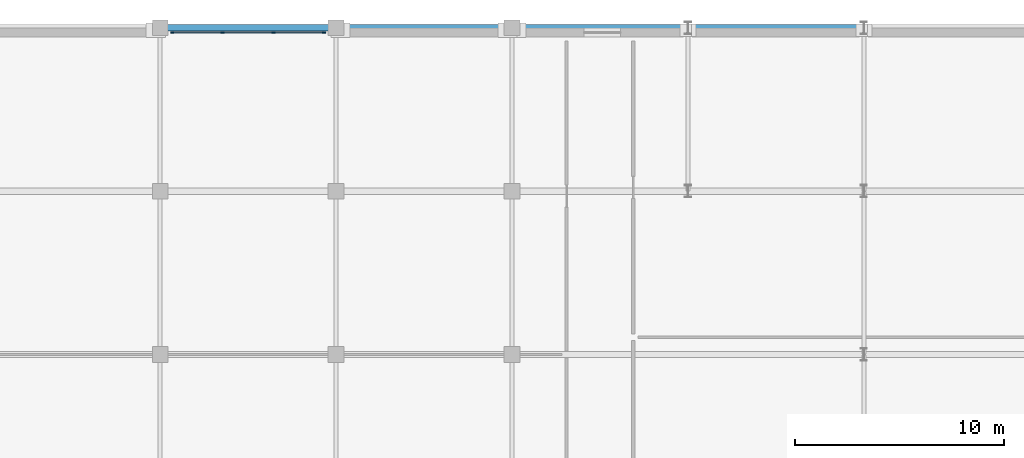
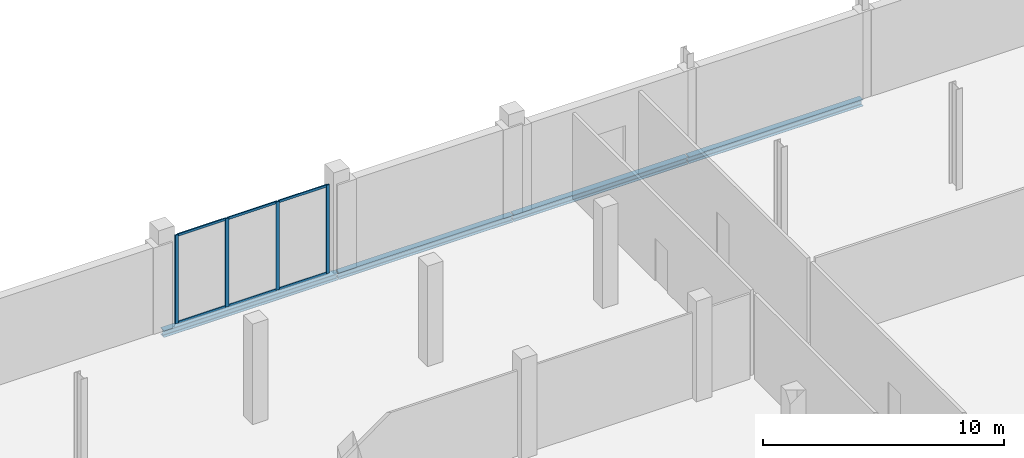
# One storey, part 66 of 105: 10 members, 4 beams, 1 element without a shape of its own.
"""IFC4 building model written with IfcOpenShell, lengths in metres."""

from ifc_helpers import new_model, si_unit, direction, frame, origin, origin_2d, place, context, subcontext, project, spatial, rectangle, i_section, extrude, material, material_profile, profile_set, type_object, element, aggregate, save


model = new_model("IFC4")

# Units and contexts
model_context = context("Model", 3, precision=1e-05, world=origin(), true_north=direction((0.0, 1.0)))
body_context = subcontext(model_context, "Body", "Model", "MODEL_VIEW")
ifc_project = project(units=[si_unit("LENGTHUNIT", "METRE"), si_unit("AREAUNIT", "SQUARE_METRE"), si_unit("VOLUMEUNIT", "CUBIC_METRE"), si_unit("PLANEANGLEUNIT", "RADIAN"), si_unit("MASSUNIT", "GRAM", prefix="KILO")], contexts=[model_context])

# Site, building, storey
site_placement = place(None, origin())
site = spatial("IfcSite", under=ifc_project, at=site_placement, CompositionType="ELEMENT")
building_placement = place(site_placement, origin())
building = spatial("IfcBuilding", under=site, at=building_placement, Name="Nabrawat Pavilion Hospital", CompositionType="ELEMENT")
storey_placement = place(building_placement, frame((0.0, 0.0, 5.10009765625)))
storey = spatial("IfcBuildingStorey", under=building, at=storey_placement, Name="L01", CompositionType="ELEMENT", Elevation=5.10009765625)

# Curtain wall, members
ifc_material_1 = material(Name="Anodised Aluminium", Category="aluminium")
curtain_wall_type = type_object("IfcCurtainWallType", Name="Inpatient Dayroom Bay Curtain Wall", PredefinedType="USERDEFINED", material=ifc_material_1)
curtain_wall_placement = place(storey_placement, origin())
curtain_wall = element("IfcCurtainWall", 1, at=curtain_wall_placement, inside=storey, type_object=curtain_wall_type, Name="L01 Inpatient Dayroom Bay Curtain Wall 092", ObjectType="CURTAIN WALL", PredefinedType="USERDEFINED")
ifc_material_profile_1 = material_profile(ifc_material_1, rectangle(XDim=0.06005859375, YDim=0.159912109375, at=origin_2d()), Name="CWM 60x160")
ifc_profile_set_1 = profile_set([ifc_material_profile_1], Name="Anodised Aluminium")
member_type_1 = type_object("IfcMemberType", Name="Inpatient Dayroom Bay Curtain Wall Mullion CWM 60x160", PredefinedType="MULLION", material=ifc_profile_set_1)
member_1_placement = place(storey_placement, frame((143.375, 124.580078125, 0.0), z_axis=(0.0, 0.0, 1.0), x_axis=(0.0, 1.0, 0.0)))
member_1 = element("IfcMember", 2, at=member_1_placement, type_object=member_type_1, Name="CW-WRD-01 mullion 1", PredefinedType="MULLION", context=body_context, shape_type="SweptSolid", body=[
    extrude(rectangle(XDim=0.06005859375, YDim=0.159912109375, at=origin_2d()), origin(), (0.0, 0.0, 1.0), 4.489990234375),
])
member_2_placement = place(storey_placement, frame((145.78173828125, 124.580078125, 0.0), z_axis=(0.0, 0.0, 1.0), x_axis=(0.0, 1.0, 0.0)))
member_2 = element("IfcMember", 3, at=member_2_placement, type_object=member_type_1, Name="CW-WRD-01 mullion 2", PredefinedType="MULLION", context=body_context, shape_type="SweptSolid", body=[
    extrude(rectangle(XDim=0.06005859375, YDim=0.159912109375, at=origin_2d()), origin(), (0.0, 0.0, 1.0), 4.489990234375),
])
member_3_placement = place(storey_placement, frame((148.21826171875, 124.580078125, 0.0), z_axis=(0.0, 0.0, 1.0), x_axis=(0.0, 1.0, 0.0)))
member_3 = element("IfcMember", 4, at=member_3_placement, type_object=member_type_1, Name="CW-WRD-01 mullion 3", PredefinedType="MULLION", context=body_context, shape_type="SweptSolid", body=[
    extrude(rectangle(XDim=0.06005859375, YDim=0.159912109375, at=origin_2d()), origin(), (0.0, 0.0, 1.0), 4.489990234375),
])
member_4_placement = place(storey_placement, frame((150.625, 124.580078125, 0.0), z_axis=(0.0, 0.0, 1.0), x_axis=(0.0, 1.0, 0.0)))
member_4 = element("IfcMember", 5, at=member_4_placement, type_object=member_type_1, Name="CW-WRD-01 mullion 4", PredefinedType="MULLION", context=body_context, shape_type="SweptSolid", body=[
    extrude(rectangle(XDim=0.06005859375, YDim=0.159912109375, at=origin_2d()), origin(), (0.0, 0.0, 1.0), 4.489990234375),
])
ifc_material_profile_2 = material_profile(ifc_material_1, rectangle(XDim=0.06005859375, YDim=0.1201171875, at=origin_2d()), Name="CWT 60x120")
ifc_profile_set_2 = profile_set([ifc_material_profile_2], Name="Anodised Aluminium")
member_type_2 = type_object("IfcMemberType", Name="Inpatient Dayroom Bay Curtain Wall Transom CWT 60x120", PredefinedType="USERDEFINED", material=ifc_profile_set_2)
member_5_placement = place(storey_placement, frame((143.405029296875, 124.580078125, 0.02978515625), z_axis=(1.0, 0.0, 0.0), x_axis=(0.0, 1.0, 0.0)))
member_5 = element("IfcMember", 6, at=member_5_placement, type_object=member_type_2, Name="CW-WRD-01 transom 1.1", ObjectType="TRANSOM", PredefinedType="USERDEFINED", context=body_context, shape_type="SweptSolid", body=[
    extrude(rectangle(XDim=0.06005859375, YDim=0.1201171875, at=origin_2d()), origin(), (0.0, 0.0, 1.0), 2.3466796875),
])
member_6_placement = place(storey_placement, frame((143.405029296875, 124.580078125, 4.4599609375), z_axis=(1.0, 0.0, 0.0), x_axis=(0.0, 1.0, 0.0)))
member_6 = element("IfcMember", 7, at=member_6_placement, type_object=member_type_2, Name="CW-WRD-01 transom 1.2", ObjectType="TRANSOM", PredefinedType="USERDEFINED", context=body_context, shape_type="SweptSolid", body=[
    extrude(rectangle(XDim=0.06005859375, YDim=0.1201171875, at=origin_2d()), origin(), (0.0, 0.0, 1.0), 2.3466796875),
])
member_7_placement = place(storey_placement, frame((145.811767578125, 124.580078125, 0.02978515625), z_axis=(1.0, 0.0, 0.0), x_axis=(0.0, 1.0, 0.0)))
member_7 = element("IfcMember", 8, at=member_7_placement, type_object=member_type_2, Name="CW-WRD-01 transom 2.1", ObjectType="TRANSOM", PredefinedType="USERDEFINED", context=body_context, shape_type="SweptSolid", body=[
    extrude(rectangle(XDim=0.06005859375, YDim=0.1201171875, at=origin_2d()), origin(), (0.0, 0.0, 1.0), 2.37646484375),
])
member_8_placement = place(storey_placement, frame((145.811767578125, 124.580078125, 4.4599609375), z_axis=(1.0, 0.0, 0.0), x_axis=(0.0, 1.0, 0.0)))
member_8 = element("IfcMember", 9, at=member_8_placement, type_object=member_type_2, Name="CW-WRD-01 transom 2.2", ObjectType="TRANSOM", PredefinedType="USERDEFINED", context=body_context, shape_type="SweptSolid", body=[
    extrude(rectangle(XDim=0.06005859375, YDim=0.1201171875, at=origin_2d()), origin(), (0.0, 0.0, 1.0), 2.37646484375),
])
member_9_placement = place(storey_placement, frame((148.248291015625, 124.580078125, 0.02978515625), z_axis=(1.0, 0.0, 0.0), x_axis=(0.0, 1.0, 0.0)))
member_9 = element("IfcMember", 10, at=member_9_placement, type_object=member_type_2, Name="CW-WRD-01 transom 3.1", ObjectType="TRANSOM", PredefinedType="USERDEFINED", context=body_context, shape_type="SweptSolid", body=[
    extrude(rectangle(XDim=0.06005859375, YDim=0.1201171875, at=origin_2d()), origin(), (0.0, 0.0, 1.0), 2.3466796875),
])
member_10_placement = place(storey_placement, frame((148.248291015625, 124.580078125, 4.4599609375), z_axis=(1.0, 0.0, 0.0), x_axis=(0.0, 1.0, 0.0)))
member_10 = element("IfcMember", 11, at=member_10_placement, type_object=member_type_2, Name="CW-WRD-01 transom 3.2", ObjectType="TRANSOM", PredefinedType="USERDEFINED", context=body_context, shape_type="SweptSolid", body=[
    extrude(rectangle(XDim=0.06005859375, YDim=0.1201171875, at=origin_2d()), origin(), (0.0, 0.0, 1.0), 2.3466796875),
])
aggregate(curtain_wall, [member_1, member_2, member_3, member_4, member_5, member_6, member_7, member_8, member_9, member_10])

# Beams
ifc_material_2 = material(Name="Steel S355", Category="steel")
ifc_material_profile_3 = material_profile(ifc_material_2, i_section(OverallWidth=0.300048828125, OverallDepth=0.340087890625, WebThickness=0.011962890625, FlangeThickness=0.021484375, FilletRadius=0.027099609375, at=origin_2d()), Name="HEB 340")
ifc_profile_set_3 = profile_set([ifc_material_profile_3], Name="Steel S355")
beam_type = type_object("IfcBeamType", Name="Ward Perimeter Spandrel Beam HEB 340", PredefinedType="SPANDREL", material=ifc_profile_set_3)
beam_1_placement = place(storey_placement, frame((142.820068359375, 124.800048828125, -0.420166015625), z_axis=(1.0, 0.0, 0.0), x_axis=(0.0, 1.0, 0.0)))
element("IfcBeam", 12, at=beam_1_placement, inside=storey, type_object=beam_type, Name="L01 Primary X Girder 688", PredefinedType="SPANDREL", context=body_context, shape_type="SweptSolid", body=[
    extrude(i_section(OverallWidth=0.300048828125, OverallDepth=0.340087890625, WebThickness=0.011962890625, FlangeThickness=0.021484375, FilletRadius=0.027099609375, at=origin_2d()), origin(), (0.0, 0.0, 1.0), 8.35986328125),
])
beam_2_placement = place(storey_placement, frame((151.219970703125, 124.800048828125, -0.420166015625), z_axis=(1.0, 0.0, 0.0), x_axis=(0.0, 1.0, 0.0)))
element("IfcBeam", 13, at=beam_2_placement, inside=storey, type_object=beam_type, Name="L01 Primary X Girder 689", PredefinedType="SPANDREL", context=body_context, shape_type="SweptSolid", body=[
    extrude(i_section(OverallWidth=0.300048828125, OverallDepth=0.340087890625, WebThickness=0.011962890625, FlangeThickness=0.021484375, FilletRadius=0.027099609375, at=origin_2d()), origin(), (0.0, 0.0, 1.0), 8.360107421875),
])
for number, where, z_axis, x_axis, name in (
    (14, (159.6201171875, 124.800048828125, -0.420166015625), (1.0, 0.0, 0.0), (0.0, 1.0, 0.0), "L01 Primary X Girder 690"),
    (15, (168.02001953125, 124.800048828125, -0.420166015625), (1.0, 0.0, 0.0), (0.0, 1.0, 0.0), "L01 Primary X Girder 691"),
):
    element("IfcBeam", number, at=place(storey_placement, frame(where, z_axis=z_axis, x_axis=x_axis)), inside=storey, type_object=beam_type, Name=name, PredefinedType="SPANDREL", context=body_context, shape_type="SweptSolid", body=[
        extrude(i_section(OverallWidth=0.300048828125, OverallDepth=0.340087890625, WebThickness=0.011962890625, FlangeThickness=0.021484375, FilletRadius=0.027099609375, at=origin_2d()), origin(), (0.0, 0.0, 1.0), 8.35986328125),
    ])

save(model, "model.ifc")
